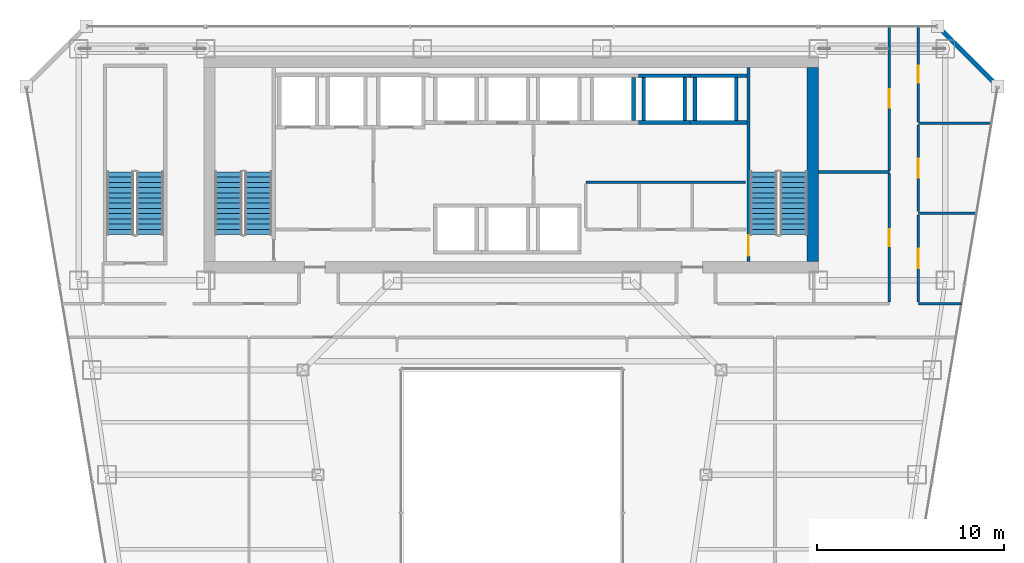
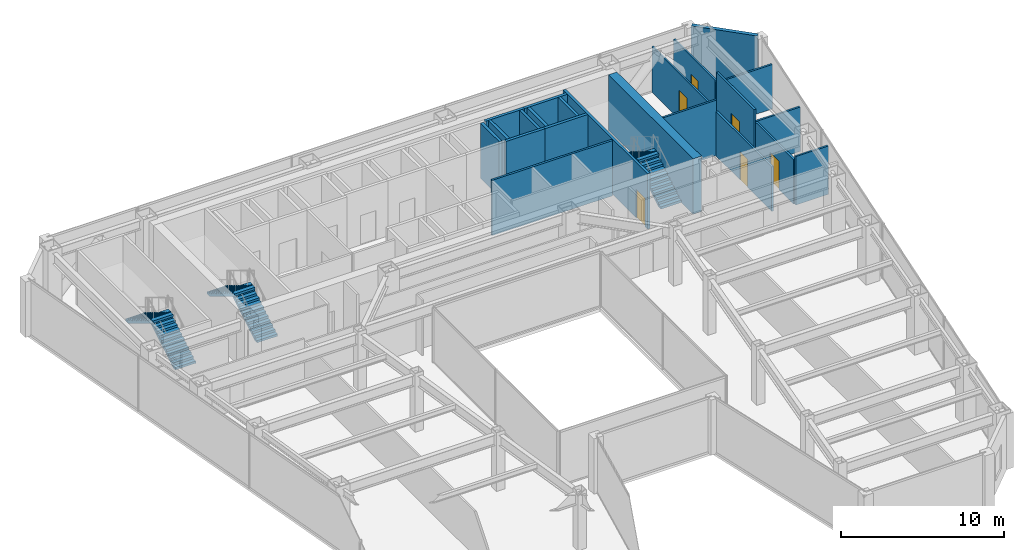
# One storey, part 34 of 37: 22 walls, 6 doors, 6 stair flights, 6 openings, 3 elements without a shape of their own.
"""IFC4 building model written with IfcOpenShell, lengths in metres."""

from ifc_helpers import new_model, si_unit, direction, frame, frame_2d, origin, place, context, subcontext, project, spatial, polyline, rectangle, outline, extrude, material, layer, layer_set, type_object, element, fill, aggregate, save


model = new_model("IFC4")

# Units and contexts
model_context = context("Model", 3, precision=1e-05, world=origin(), true_north=direction((0.0, 1.0)))
body_context = subcontext(model_context, "Body", "Model", "MODEL_VIEW")
ifc_project = project(units=[si_unit("LENGTHUNIT", "METRE"), si_unit("AREAUNIT", "SQUARE_METRE"), si_unit("VOLUMEUNIT", "CUBIC_METRE"), si_unit("PLANEANGLEUNIT", "RADIAN"), si_unit("MASSUNIT", "GRAM", prefix="KILO")], contexts=[model_context])

# Site, building, storey
site_placement = place(None, origin())
site = spatial("IfcSite", under=ifc_project, at=site_placement, CompositionType="ELEMENT")
building_placement = place(site_placement, origin())
building = spatial("IfcBuilding", under=site, at=building_placement, Name="Saevonmaru Cultural Tower", CompositionType="ELEMENT")
storey_placement = place(building_placement, frame((0.0, 0.0, 106.0)))
storey = spatial("IfcBuildingStorey", under=building, at=storey_placement, Name="L22", CompositionType="ELEMENT", Elevation=106.0)

# Walls
ifc_material_1 = material(Name="Concrete C60/75", Category="concrete")
ifc_layer_1 = layer(ifc_material_1, 0.60009765625, Name="Concrete C60/75")
ifc_layer_set_1 = layer_set([ifc_layer_1], Name="Concrete C60/75")
wall_type_1 = type_object("IfcWallType", Name="WL-CORE-600", PredefinedType="SHEAR", material=ifc_layer_set_1)
wall_1_placement = place(storey_placement, frame((46.10009765625, 43.39990234375, 0.0), z_axis=(0.0, 0.0, 1.0), x_axis=(0.0, 1.0, 0.0)))
element("IfcWall", 1, at=wall_1_placement, inside=storey, type_object=wall_type_1, Name="L22 Tower RC core shear wall E", PredefinedType="SHEAR", context=body_context, shape_type="SweptSolid", body=[
    extrude(rectangle(XDim=10.400146484375, YDim=0.60009765625, at=frame_2d((5.2001953125, 0.0))), origin(), (0.0, 0.0, 1.0), 4.14990234375),
])
ifc_material_2 = material(Name="Gypsum Fireboard Partition", Category="gypsum")
ifc_layer_2 = layer(ifc_material_2, 0.14990234375, Name="Gypsum Fireboard Partition")
ifc_layer_set_2 = layer_set([ifc_layer_2], Name="Gypsum Fireboard Partition")
wall_type_2 = type_object("IfcWallType", Name="WL-CORE-PART-150", PredefinedType="PARTITIONING", material=ifc_layer_set_2)
wall_2_placement = place(storey_placement, frame((33.949951171875, 47.64990234375, 0.0), z_axis=(0.0, 0.0, 1.0), x_axis=(1.0, 0.0, 0.0)))
element("IfcWall", 2, at=wall_2_placement, inside=storey, type_object=wall_type_2, Name="L22 Core Utility North Wall", PredefinedType="PARTITIONING", context=body_context, shape_type="SweptSolid", body=[
    extrude(rectangle(XDim=8.550048828125, YDim=0.14990234375, at=frame_2d((4.27490234375, 0.0))), origin(), (0.0, 0.0, 1.0), 4.14990234375),
])
ifc_material_3 = material(Name="Granite-Clad Precast Concrete C40/50", Category="masonry")
ifc_layer_3 = layer(ifc_material_3, 0.260009765625, Name="Granite-Clad Precast Concrete C40/50")
ifc_layer_set_3 = layer_set([ifc_layer_3], Name="Granite-Clad Precast Concrete C40/50")
wall_type_3 = type_object("IfcWallType", Name="WL-EXT-SPANDREL-260", PredefinedType="STANDARD", material=ifc_layer_set_3)
wall_3_placement = place(storey_placement, frame((55.886962890625, 52.9130859375, 0.0), z_axis=(0.0, 0.0, 1.0), x_axis=(-0.707106781187, 0.707106781187, 0.0)))
element("IfcWall", 3, at=wall_3_placement, inside=storey, type_object=wall_type_3, Name="L22 Chamfer Corner Spandrel Wall E9", PredefinedType="STANDARD", context=body_context, shape_type="SweptSolid", body=[
    extrude(rectangle(XDim=4.205810546875, YDim=0.260009765625, at=frame_2d((2.10302734375, 0.0))), origin(), (0.0, 0.0, 1.0), 4.14990234375),
])

# Wall, opening, door
ifc_layer_4 = layer(ifc_material_2, 0.14990234375, Name="Gypsum Fireboard Partition")
ifc_layer_set_4 = layer_set([ifc_layer_4], Name="Gypsum Fireboard Partition")
wall_type_4 = type_object("IfcWallType", Name="WL-PART-FIRE-150", PredefinedType="PARTITIONING", material=ifc_layer_set_4)
wall_4_placement = place(storey_placement, frame((51.75, 41.237548828125, 0.0), z_axis=(0.0, 0.0, 1.0), x_axis=(0.0, 1.0, 0.0)))
wall_4 = element("IfcWall", 4, at=wall_4_placement, inside=storey, type_object=wall_type_4, Name="L22 Skyline Exhibition Gallery Corridor Wall", PredefinedType="PARTITIONING", context=body_context, shape_type="SweptSolid", body=[
    extrude(rectangle(XDim=4.675048828125, YDim=0.14990234375, at=frame_2d((2.33740234375, 0.0))), origin(), (0.0, 0.0, 1.0), 3.3349609375),
])
opening_1_placement = place(wall_4_placement, frame((1.81298828125, 0.0, 0.0)))
opening_1 = element("IfcOpeningElement", 5, at=opening_1_placement, cuts=wall_4, Name="Opening ID-1", PredefinedType="OPENING", context=body_context, shape_type="SweptSolid", body=[
    extrude(rectangle(XDim=1.050048828125, YDim=2.14990234375, at=frame_2d((0.52490234375, 1.074951171875))), frame((0.0, 0.0849609375, 0.0), z_axis=(0.0, -1.0, 0.0), x_axis=(1.0, 0.0, 0.0)), (0.0, 0.0, 1.0), 0.169921875),
])
ifc_material_4 = material(Name="Satin Bronze Anodised Aluminium", Category="aluminium")
door_type_1 = type_object("IfcDoorType", Name="DR-INT-1050", OperationType="SINGLE_SWING_LEFT", PredefinedType="DOOR", material=ifc_material_4)
door_1_placement = place(opening_1_placement, origin())
door_1 = element("IfcDoor", 6, at=door_1_placement, inside=storey, type_object=door_type_1, Name="L22 Skyline Exhibition Gallery Door", OperationType="SINGLE_SWING_RIGHT", OverallHeight=2.14990234375, OverallWidth=1.050048828125, PredefinedType="DOOR", context=body_context, shape_type="SweptSolid", body=[
    extrude(rectangle(XDim=1.050048828125, YDim=2.14990234375, at=frame_2d((0.52490234375, 1.074951171875))), frame((0.0, 0.02490234375, 0.0), z_axis=(0.0, -1.0, 0.0), x_axis=(1.0, 0.0, 0.0)), (0.0, 0.0, 1.0), 0.050048828125),
])
fill(opening_1, door_1)

wall_5_placement = place(storey_placement, frame((51.75, 46.08740234375, 0.0), z_axis=(0.0, 0.0, 1.0), x_axis=(0.0, 1.0, 0.0)))
wall_5 = element("IfcWall", 7, at=wall_5_placement, inside=storey, type_object=wall_type_4, Name="L22 Acoustic Chamber Auditorium Corridor Wall", PredefinedType="PARTITIONING", context=body_context, shape_type="SweptSolid", body=[
    extrude(rectangle(XDim=4.625, YDim=0.14990234375, at=frame_2d((2.3125, 0.0))), origin(), (0.0, 0.0, 1.0), 4.14990234375),
])
opening_2_placement = place(wall_5_placement, frame((1.81201171875, 0.0, 0.0)))
opening_2 = element("IfcOpeningElement", 8, at=opening_2_placement, cuts=wall_5, Name="Opening ID-1B", PredefinedType="OPENING", context=body_context, shape_type="SweptSolid", body=[
    extrude(rectangle(XDim=1.0, YDim=2.14990234375, at=frame_2d((0.5, 1.074951171875))), frame((0.0, 0.0849609375, 0.0), z_axis=(0.0, -1.0, 0.0), x_axis=(1.0, 0.0, 0.0)), (0.0, 0.0, 1.0), 0.169921875),
])
ifc_material_5 = material(Name="Acoustic Stained Oak Timber", Category="wood")
door_type_2 = type_object("IfcDoorType", Name="DR-INT-1000", OperationType="SINGLE_SWING_RIGHT", PredefinedType="DOOR", material=ifc_material_5)
door_2_placement = place(opening_2_placement, origin())
door_2 = element("IfcDoor", 9, at=door_2_placement, inside=storey, type_object=door_type_2, Name="L22 Acoustic Chamber Auditorium Door", OperationType="SINGLE_SWING_LEFT", OverallHeight=2.14990234375, OverallWidth=1.0, PredefinedType="DOOR", context=body_context, shape_type="SweptSolid", body=[
    extrude(rectangle(XDim=1.0, YDim=2.14990234375, at=frame_2d((0.5, 1.074951171875))), frame((0.0, 0.02490234375, 0.0), z_axis=(0.0, -1.0, 0.0), x_axis=(1.0, 0.0, 0.0)), (0.0, 0.0, 1.0), 0.050048828125),
])
fill(opening_2, door_2)

ifc_layer_5 = layer(ifc_material_2, 0.1201171875, Name="Gypsum Fireboard Partition")
ifc_layer_set_5 = layer_set([ifc_layer_5], Name="Gypsum Fireboard Partition")
wall_type_5 = type_object("IfcWallType", Name="WL-PART-GYP-120", PredefinedType="PARTITIONING", material=ifc_layer_set_5)
wall_6_placement = place(storey_placement, frame((50.199951171875, 48.2900390625, 0.0), z_axis=(0.0, 0.0, 1.0), x_axis=(0.0, 1.0, 0.0)))
wall_6 = element("IfcWall", 10, at=wall_6_placement, inside=storey, type_object=wall_type_5, Name="L22 Museum Espresso Cafe Corridor Wall", PredefinedType="PARTITIONING", context=body_context, shape_type="SweptSolid", body=[
    extrude(rectangle(XDim=7.705078125, YDim=0.1201171875, at=frame_2d((3.8525390625, 0.0))), origin(), (0.0, 0.0, 1.0), 3.43505859375),
])
opening_3_placement = place(wall_6_placement, frame((3.35205078125, 0.0, 0.0)))
opening_3 = element("IfcOpeningElement", 11, at=opening_3_placement, cuts=wall_6, Name="Opening ID-1B", PredefinedType="OPENING", context=body_context, shape_type="SweptSolid", body=[
    extrude(rectangle(XDim=1.0, YDim=2.14990234375, at=frame_2d((0.5, 1.074951171875))), frame((0.0, 0.070068359375, 0.0), z_axis=(0.0, -1.0, 0.0), x_axis=(1.0, 0.0, 0.0)), (0.0, 0.0, 1.0), 0.14013671875),
])
door_3_placement = place(opening_3_placement, origin())
door_3 = element("IfcDoor", 12, at=door_3_placement, inside=storey, type_object=door_type_2, Name="L22 Museum Espresso Cafe Door", OperationType="SINGLE_SWING_LEFT", OverallHeight=2.14990234375, OverallWidth=1.0, PredefinedType="DOOR", context=body_context, shape_type="SweptSolid", body=[
    extrude(rectangle(XDim=1.0, YDim=2.14990234375, at=frame_2d((0.5, 1.074951171875))), frame((0.0, 0.02490234375, 0.0), z_axis=(0.0, -1.0, 0.0), x_axis=(1.0, 0.0, 0.0)), (0.0, 0.0, 1.0), 0.050048828125),
])
fill(opening_3, door_3)

wall_7_placement = place(storey_placement, frame((51.75, 50.887451171875, 0.0), z_axis=(0.0, 0.0, 1.0), x_axis=(0.0, 1.0, 0.0)))
wall_7 = element("IfcWall", 13, at=wall_7_placement, inside=storey, type_object=wall_type_5, Name="L22 Visiting Fellows Office Corridor Wall", PredefinedType="PARTITIONING", context=body_context, shape_type="SweptSolid", body=[
    extrude(rectangle(XDim=5.107666015625, YDim=0.1201171875, at=frame_2d((2.5537109375, 0.0))), origin(), (0.0, 0.0, 1.0), 3.43505859375),
])
opening_4_placement = place(wall_7_placement, frame((2.10400390625, 0.0, 0.0)))
opening_4 = element("IfcOpeningElement", 14, at=opening_4_placement, cuts=wall_7, Name="Opening ID-2", PredefinedType="OPENING", context=body_context, shape_type="SweptSolid", body=[
    extrude(rectangle(XDim=0.89990234375, YDim=2.10009765625, at=frame_2d((0.449951171875, 1.050048828125))), frame((0.0, 0.070068359375, 0.0), z_axis=(0.0, -1.0, 0.0), x_axis=(1.0, 0.0, 0.0)), (0.0, 0.0, 1.0), 0.14013671875),
])
door_type_3 = type_object("IfcDoorType", Name="DR-INT-900", OperationType="SINGLE_SWING_RIGHT", PredefinedType="DOOR", material=ifc_material_5)
door_4_placement = place(opening_4_placement, origin())
door_4 = element("IfcDoor", 15, at=door_4_placement, inside=storey, type_object=door_type_3, Name="L22 Visiting Fellows Office Door", OperationType="SINGLE_SWING_RIGHT", OverallHeight=2.10009765625, OverallWidth=0.89990234375, PredefinedType="DOOR", context=body_context, shape_type="SweptSolid", body=[
    extrude(rectangle(XDim=0.89990234375, YDim=2.10009765625, at=frame_2d((0.449951171875, 1.050048828125))), frame((0.0, 0.02490234375, 0.0), z_axis=(0.0, -1.0, 0.0), x_axis=(1.0, 0.0, 0.0)), (0.0, 0.0, 1.0), 0.050048828125),
])
fill(opening_4, door_4)

# Walls
ifc_layer_6 = layer(ifc_material_2, 0.135009765625, Name="Gypsum Fireboard Partition")
ifc_layer_set_6 = layer_set([ifc_layer_6], Name="Gypsum Fireboard Partition")
wall_type_6 = type_object("IfcWallType", Name="WL-PART-GYP-135", PredefinedType="PARTITIONING", material=ifc_layer_set_6)
wall_8_placement = place(storey_placement, frame((51.75, 41.14990234375, 0.0), z_axis=(0.0, 0.0, 1.0), x_axis=(1.0, 0.0, 0.0)))
element("IfcWall", 16, at=wall_8_placement, inside=storey, type_object=wall_type_6, Name="L22 NE Wing South Wall", PredefinedType="PARTITIONING", context=body_context, shape_type="SweptSolid", body=[
    extrude(rectangle(XDim=2.30810546875, YDim=0.135009765625, at=frame_2d((1.154052734375, 0.0))), origin(), (0.0, 0.0, 1.0), 3.635009765625),
])
wall_9_placement = place(storey_placement, frame((51.75, 46.0, 0.0), z_axis=(0.0, 0.0, 1.0), x_axis=(1.0, 0.0, 0.0)))
element("IfcWall", 17, at=wall_9_placement, inside=storey, type_object=wall_type_6, Name="L22 NE Studio Divider 1", PredefinedType="PARTITIONING", context=body_context, shape_type="SweptSolid", body=[
    extrude(rectangle(XDim=3.114501953125, YDim=0.135009765625, at=frame_2d((1.55712890625, 0.0))), origin(), (0.0, 0.0, 1.0), 3.3349609375),
])
wall_10_placement = place(storey_placement, frame((51.75, 50.800048828125, 0.0), z_axis=(0.0, 0.0, 1.0), x_axis=(1.0, 0.0, 0.0)))
element("IfcWall", 18, at=wall_10_placement, inside=storey, type_object=wall_type_6, Name="L22 NE Studio Divider 2", PredefinedType="PARTITIONING", context=body_context, shape_type="SweptSolid", body=[
    extrude(rectangle(XDim=3.912353515625, YDim=0.135009765625, at=frame_2d((1.9560546875, 0.0))), origin(), (0.0, 0.0, 1.0), 3.3349609375),
])
ifc_layer_7 = layer(ifc_material_2, 0.139892578125, Name="Gypsum Fireboard Partition")
ifc_layer_set_7 = layer_set([ifc_layer_7], Name="Gypsum Fireboard Partition")
wall_type_7 = type_object("IfcWallType", Name="WL-PART-WET-140", PredefinedType="PARTITIONING", material=ifc_layer_set_7)
wall_11_placement = place(storey_placement, frame((46.419921875, 48.199951171875, 0.0), z_axis=(0.0, 0.0, 1.0), x_axis=(1.0, 0.0, 0.0)))
element("IfcWall", 19, at=wall_11_placement, inside=storey, type_object=wall_type_7, Name="L22 Washroom North Wall", PredefinedType="PARTITIONING", context=body_context, shape_type="SweptSolid", body=[
    extrude(rectangle(XDim=3.780029296875, YDim=0.139892578125, at=frame_2d((1.89013671875, 0.0))), origin(), (0.0, 0.0, 1.0), 4.14990234375),
])

# Wall, opening, door
wall_12_placement = place(storey_placement, frame((50.199951171875, 41.239990234375, 0.0), z_axis=(0.0, 0.0, 1.0), x_axis=(0.0, 1.0, 0.0)))
wall_12 = element("IfcWall", 20, at=wall_12_placement, inside=storey, type_object=wall_type_7, Name="L22 Washroom Corridor Wall", PredefinedType="PARTITIONING", context=body_context, shape_type="SweptSolid", body=[
    extrude(rectangle(XDim=6.8701171875, YDim=0.139892578125, at=frame_2d((3.43505859375, 0.0))), origin(), (0.0, 0.0, 1.0), 3.3349609375),
])
opening_5_placement = place(wall_12_placement, frame((2.985107421875, 0.0, 0.0)))
opening_5 = element("IfcOpeningElement", 21, at=opening_5_placement, cuts=wall_12, Name="Opening ID-2", PredefinedType="OPENING", context=body_context, shape_type="SweptSolid", body=[
    extrude(rectangle(XDim=0.89990234375, YDim=2.10009765625, at=frame_2d((0.449951171875, 1.050048828125))), frame((0.0, 0.080078125, 0.0), z_axis=(0.0, -1.0, 0.0), x_axis=(1.0, 0.0, 0.0)), (0.0, 0.0, 1.0), 0.159912109375),
])
door_5_placement = place(opening_5_placement, origin())
door_5 = element("IfcDoor", 22, at=door_5_placement, inside=storey, type_object=door_type_3, Name="L22 Public Accessible Washrooms Door", OperationType="SINGLE_SWING_RIGHT", OverallHeight=2.10009765625, OverallWidth=0.89990234375, PredefinedType="DOOR", context=body_context, shape_type="SweptSolid", body=[
    extrude(rectangle(XDim=0.89990234375, YDim=2.10009765625, at=frame_2d((0.449951171875, 1.050048828125))), frame((0.0, 0.02490234375, 0.0), z_axis=(0.0, -1.0, 0.0), x_axis=(1.0, 0.0, 0.0)), (0.0, 0.0, 1.0), 0.050048828125),
])
fill(opening_5, door_5)

# Walls
ifc_material_6 = material(Name="Concrete C40/50", Category="concrete")
ifc_layer_8 = layer(ifc_material_6, 0.199951171875, Name="Concrete C40/50")
ifc_layer_set_8 = layer_set([ifc_layer_8], Name="Concrete C40/50")
wall_type_8 = type_object("IfcWallType", Name="WL-SHAFT-200", PredefinedType="SHEAR", material=ifc_layer_set_8)
wall_13_placement = place(storey_placement, frame((36.5, 50.949951171875, 0.0), z_axis=(0.0, 0.0, 1.0), x_axis=(0.0, 1.0, 0.0)))
element("IfcWall", 23, at=wall_13_placement, inside=storey, type_object=wall_type_8, Name="L22 Lift PL-H1 Hoistway Wall E", PredefinedType="SHEAR", context=body_context, shape_type="SweptSolid", body=[
    extrude(rectangle(XDim=2.300048828125, YDim=0.199951171875, at=frame_2d((1.14990234375, 0.0))), origin(), (0.0, 0.0, 1.0), 4.14990234375),
])
for number, where, z_axis, x_axis, name in (
    (24, (36.77490234375, 50.85009765625, 0.0), (0.0, 0.0, 1.0), (1.0, 0.0, 0.0), "L22 Lift PL-H2 Hoistway Wall S"),
    (25, (36.77490234375, 53.35009765625, 0.0), (0.0, 0.0, 1.0), (1.0, 0.0, 0.0), "L22 Lift PL-H2 Hoistway Wall N"),
):
    element("IfcWall", number, at=place(storey_placement, frame(where, z_axis=z_axis, x_axis=x_axis)), inside=storey, type_object=wall_type_8, Name=name, PredefinedType="SHEAR", context=body_context, shape_type="SweptSolid", body=[
        extrude(rectangle(XDim=2.75, YDim=0.199951171875, at=frame_2d((1.375, 0.0))), origin(), (0.0, 0.0, 1.0), 4.14990234375),
    ])
for number, where, z_axis, x_axis, name in (
    (26, (37.050048828125, 50.949951171875, 0.0), (0.0, 0.0, 1.0), (0.0, 1.0, 0.0), "L22 Lift PL-H2 Hoistway Wall W"),
    (27, (39.25, 50.949951171875, 0.0), (0.0, 0.0, 1.0), (0.0, 1.0, 0.0), "L22 Lift PL-H2 Hoistway Wall E"),
):
    element("IfcWall", number, at=place(storey_placement, frame(where, z_axis=z_axis, x_axis=x_axis)), inside=storey, type_object=wall_type_8, Name=name, PredefinedType="SHEAR", context=body_context, shape_type="SweptSolid", body=[
        extrude(rectangle(XDim=2.300048828125, YDim=0.199951171875, at=frame_2d((1.14990234375, 0.0))), origin(), (0.0, 0.0, 1.0), 4.14990234375),
    ])
for number, where, z_axis, x_axis, name in (
    (28, (39.52490234375, 50.85009765625, 0.0), (0.0, 0.0, 1.0), (1.0, 0.0, 0.0), "L22 Lift PL-H3 Hoistway Wall S"),
    (29, (39.52490234375, 53.35009765625, 0.0), (0.0, 0.0, 1.0), (1.0, 0.0, 0.0), "L22 Lift PL-H3 Hoistway Wall N"),
):
    element("IfcWall", number, at=place(storey_placement, frame(where, z_axis=z_axis, x_axis=x_axis)), inside=storey, type_object=wall_type_8, Name=name, PredefinedType="SHEAR", context=body_context, shape_type="SweptSolid", body=[
        extrude(rectangle(XDim=3.045166015625, YDim=0.199951171875, at=frame_2d((1.5224609375, 0.0))), origin(), (0.0, 0.0, 1.0), 4.14990234375),
    ])
for number, where, z_axis, x_axis, name in (
    (30, (39.800048828125, 50.949951171875, 0.0), (0.0, 0.0, 1.0), (0.0, 1.0, 0.0), "L22 Lift PL-H3 Hoistway Wall W"),
    (31, (42.0, 50.949951171875, 0.0), (0.0, 0.0, 1.0), (0.0, 1.0, 0.0), "L22 Lift PL-H3 Hoistway Wall E"),
):
    element("IfcWall", number, at=place(storey_placement, frame(where, z_axis=z_axis, x_axis=x_axis)), inside=storey, type_object=wall_type_8, Name=name, PredefinedType="SHEAR", context=body_context, shape_type="SweptSolid", body=[
        extrude(rectangle(XDim=2.300048828125, YDim=0.199951171875, at=frame_2d((1.14990234375, 0.0))), origin(), (0.0, 0.0, 1.0), 4.14990234375),
    ])

# Wall, opening, door
ifc_layer_9 = layer(ifc_material_6, 0.179931640625, Name="Concrete C40/50")
ifc_layer_set_9 = layer_set([ifc_layer_9], Name="Concrete C40/50")
wall_type_9 = type_object("IfcWallType", Name="WL-STSHAFT-180", PredefinedType="SHEAR", material=ifc_layer_set_9)
wall_14_placement = place(storey_placement, frame((42.659912109375, 53.800048828125, 0.0), z_axis=(0.0, 0.0, 1.0), x_axis=(0.0, -1.0, 0.0)))
wall_14 = element("IfcWall", 32, at=wall_14_placement, inside=storey, type_object=wall_type_9, Name="L22 Stair ST-2 Structural Shaft Wall 1", PredefinedType="SHEAR", context=body_context, shape_type="SweptSolid", body=[
    extrude(rectangle(XDim=10.400146484375, YDim=0.179931640625, at=frame_2d((5.2001953125, 0.0))), origin(), (0.0, 0.0, 1.0), 4.14990234375),
])
opening_6_placement = place(wall_14_placement, frame((8.989990234375, 0.0, 0.0)))
opening_6 = element("IfcOpeningElement", 33, at=opening_6_placement, cuts=wall_14, Name="Opening FD-2", PredefinedType="OPENING", context=body_context, shape_type="SweptSolid", body=[
    extrude(rectangle(XDim=1.10009765625, YDim=2.14990234375, at=frame_2d((0.550048828125, 1.074951171875))), frame((0.0, 0.10009765625, 0.0), z_axis=(0.0, -1.0, 0.0), x_axis=(1.0, 0.0, 0.0)), (0.0, 0.0, 1.0), 0.199951171875),
])
door_type_4 = type_object("IfcDoorType", Name="DR-FD60-1100", OperationType="SINGLE_SWING_LEFT", PredefinedType="DOOR", material=ifc_material_4)
door_6_placement = place(opening_6_placement, origin())
door_6 = element("IfcDoor", 34, at=door_6_placement, inside=storey, type_object=door_type_4, Name="L22 Protected Stair ST-2 Fire Door", OperationType="SINGLE_SWING_LEFT", OverallHeight=2.14990234375, OverallWidth=1.10009765625, PredefinedType="DOOR", context=body_context, shape_type="SweptSolid", body=[
    extrude(rectangle(XDim=1.10009765625, YDim=2.14990234375, at=frame_2d((0.550048828125, 1.074951171875))), frame((0.0, 0.02490234375, 0.0), z_axis=(0.0, -1.0, 0.0), x_axis=(1.0, 0.0, 0.0)), (0.0, 0.0, 1.0), 0.050048828125),
])
fill(opening_6, door_6)

# Stair, stair flights
stair_type = type_object("IfcStairType", Name="STR-DOGLEG-RC", PredefinedType="HALF_TURN_STAIR", material=ifc_material_6)
stair_1_placement = place(storey_placement, origin())
stair_1 = element("IfcStair", 35, at=stair_1_placement, inside=storey, type_object=stair_type, Name="L22 Protected exit stair ST-1", PredefinedType="HALF_TURN_STAIR")
ifc_material_7 = material(Name="Precast concrete C40/50", Category="concrete")
stair_flight_type = type_object("IfcStairFlightType", Name="STF-PRECAST-180", PredefinedType="STRAIGHT", material=ifc_material_7)
stair_flight_1_placement = place(storey_placement, frame((16.425048828125, 44.85009765625, 0.0), z_axis=(0.0, 0.0, 1.0), x_axis=(0.0, 1.0, 0.0)))
stair_flight_1 = element("IfcStairFlight", 36, at=stair_flight_1_placement, type_object=stair_flight_type, Name="ST-1-L22 flight 1", NumberOfRisers=13, NumberOfTreads=12, PredefinedType="STRAIGHT", RiserHeight=0.169230769, TreadLength=0.28, context=body_context, shape_type="SweptSolid", body=[
    extrude(outline(polyline([(0.0, 0.0), (0.0, 0.169189453125), (0.280029296875, 0.169189453125), (0.280029296875, 0.33837890625), (0.56005859375, 0.33837890625), (0.56005859375, 0.5078125), (0.840087890625, 0.5078125), (0.840087890625, 0.677001953125), (1.1201171875, 0.677001953125), (1.1201171875, 0.84619140625), (1.39990234375, 0.84619140625), (1.39990234375, 1.015380859375), (1.679931640625, 1.015380859375), (1.679931640625, 1.1845703125), (1.9599609375, 1.1845703125), (1.9599609375, 1.353759765625), (2.239990234375, 1.353759765625), (2.239990234375, 1.523193359375), (2.52001953125, 1.523193359375), (2.52001953125, 1.6923828125), (2.800048828125, 1.6923828125), (2.800048828125, 1.861572265625), (3.080078125, 1.861572265625), (3.080078125, 2.03076171875), (3.360107421875, 2.03076171875), (3.360107421875, 2.199951171875), (3.360107421875, 1.855712890625), (0.289794921875, 0.0), (0.0, 0.0)])), frame((0.0, 0.72509765625, 0.0), z_axis=(0.0, -1.0, 0.0), x_axis=(1.0, 0.0, 0.0)), (0.0, 0.0, 1.0), 1.449951171875),
])
stair_flight_2_placement = place(storey_placement, frame((14.824951171875, 48.2099609375, 2.199951171875), z_axis=(0.0, 0.0, 1.0), x_axis=(0.0, -1.0, 0.0)))
stair_flight_2 = element("IfcStairFlight", 37, at=stair_flight_2_placement, type_object=stair_flight_type, Name="ST-1-L22 flight 2", NumberOfRisers=13, NumberOfTreads=12, PredefinedType="STRAIGHT", RiserHeight=0.169230769, TreadLength=0.28, context=body_context, shape_type="SweptSolid", body=[
    extrude(outline(polyline([(0.0, 0.0), (0.0, 0.169189453125), (0.280029296875, 0.169189453125), (0.280029296875, 0.33837890625), (0.56005859375, 0.33837890625), (0.56005859375, 0.5078125), (0.840087890625, 0.5078125), (0.840087890625, 0.677001953125), (1.1201171875, 0.677001953125), (1.1201171875, 0.84619140625), (1.39990234375, 0.84619140625), (1.39990234375, 1.015380859375), (1.679931640625, 1.015380859375), (1.679931640625, 1.1845703125), (1.9599609375, 1.1845703125), (1.9599609375, 1.353759765625), (2.239990234375, 1.353759765625), (2.239990234375, 1.523193359375), (2.52001953125, 1.523193359375), (2.52001953125, 1.6923828125), (2.800048828125, 1.6923828125), (2.800048828125, 1.861572265625), (3.080078125, 1.861572265625), (3.080078125, 2.03076171875), (3.360107421875, 2.03076171875), (3.360107421875, 2.199951171875), (3.360107421875, 1.855712890625), (0.289794921875, 0.0), (0.0, 0.0)])), frame((0.0, 0.72509765625, 0.0), z_axis=(0.0, -1.0, 0.0), x_axis=(1.0, 0.0, 0.0)), (0.0, 0.0, 1.0), 1.449951171875),
])
aggregate(stair_1, [stair_flight_1, stair_flight_2])

stair_2_placement = place(storey_placement, origin())
stair_2 = element("IfcStair", 38, at=stair_2_placement, inside=storey, type_object=stair_type, Name="L22 Protected exit stair ST-2", PredefinedType="HALF_TURN_STAIR")
stair_flight_3_placement = place(storey_placement, frame((45.074951171875, 44.85009765625, 0.0), z_axis=(0.0, 0.0, 1.0), x_axis=(0.0, 1.0, 0.0)))
stair_flight_3 = element("IfcStairFlight", 39, at=stair_flight_3_placement, type_object=stair_flight_type, Name="ST-2-L22 flight 1", NumberOfRisers=13, NumberOfTreads=12, PredefinedType="STRAIGHT", RiserHeight=0.169230769, TreadLength=0.28, context=body_context, shape_type="SweptSolid", body=[
    extrude(outline(polyline([(0.0, 0.0), (0.0, 0.169189453125), (0.280029296875, 0.169189453125), (0.280029296875, 0.33837890625), (0.56005859375, 0.33837890625), (0.56005859375, 0.5078125), (0.840087890625, 0.5078125), (0.840087890625, 0.677001953125), (1.1201171875, 0.677001953125), (1.1201171875, 0.84619140625), (1.39990234375, 0.84619140625), (1.39990234375, 1.015380859375), (1.679931640625, 1.015380859375), (1.679931640625, 1.1845703125), (1.9599609375, 1.1845703125), (1.9599609375, 1.353759765625), (2.239990234375, 1.353759765625), (2.239990234375, 1.523193359375), (2.52001953125, 1.523193359375), (2.52001953125, 1.6923828125), (2.800048828125, 1.6923828125), (2.800048828125, 1.861572265625), (3.080078125, 1.861572265625), (3.080078125, 2.03076171875), (3.360107421875, 2.03076171875), (3.360107421875, 2.199951171875), (3.360107421875, 1.855712890625), (0.289794921875, 0.0), (0.0, 0.0)])), frame((0.0, 0.72509765625, 0.0), z_axis=(0.0, -1.0, 0.0), x_axis=(1.0, 0.0, 0.0)), (0.0, 0.0, 1.0), 1.449951171875),
])
stair_flight_4_placement = place(storey_placement, frame((43.47509765625, 48.2099609375, 2.199951171875), z_axis=(0.0, 0.0, 1.0), x_axis=(0.0, -1.0, 0.0)))
stair_flight_4 = element("IfcStairFlight", 40, at=stair_flight_4_placement, type_object=stair_flight_type, Name="ST-2-L22 flight 2", NumberOfRisers=13, NumberOfTreads=12, PredefinedType="STRAIGHT", RiserHeight=0.169230769, TreadLength=0.28, context=body_context, shape_type="SweptSolid", body=[
    extrude(outline(polyline([(0.0, 0.0), (0.0, 0.169189453125), (0.280029296875, 0.169189453125), (0.280029296875, 0.33837890625), (0.56005859375, 0.33837890625), (0.56005859375, 0.5078125), (0.840087890625, 0.5078125), (0.840087890625, 0.677001953125), (1.1201171875, 0.677001953125), (1.1201171875, 0.84619140625), (1.39990234375, 0.84619140625), (1.39990234375, 1.015380859375), (1.679931640625, 1.015380859375), (1.679931640625, 1.1845703125), (1.9599609375, 1.1845703125), (1.9599609375, 1.353759765625), (2.239990234375, 1.353759765625), (2.239990234375, 1.523193359375), (2.52001953125, 1.523193359375), (2.52001953125, 1.6923828125), (2.800048828125, 1.6923828125), (2.800048828125, 1.861572265625), (3.080078125, 1.861572265625), (3.080078125, 2.03076171875), (3.360107421875, 2.03076171875), (3.360107421875, 2.199951171875), (3.360107421875, 1.855712890625), (0.289794921875, 0.0), (0.0, 0.0)])), frame((0.0, 0.72509765625, 0.0), z_axis=(0.0, -1.0, 0.0), x_axis=(1.0, 0.0, 0.0)), (0.0, 0.0, 1.0), 1.449951171875),
])
aggregate(stair_2, [stair_flight_3, stair_flight_4])

stair_3_placement = place(storey_placement, origin())
stair_3 = element("IfcStair", 41, at=stair_3_placement, inside=storey, type_object=stair_type, Name="L22 Protected exit stair ST-3", PredefinedType="HALF_TURN_STAIR")
stair_flight_5_placement = place(storey_placement, frame((10.625, 44.85009765625, 0.0), z_axis=(0.0, 0.0, 1.0), x_axis=(0.0, 1.0, 0.0)))
stair_flight_5 = element("IfcStairFlight", 42, at=stair_flight_5_placement, type_object=stair_flight_type, Name="ST-3-L22 flight 1", NumberOfRisers=13, NumberOfTreads=12, PredefinedType="STRAIGHT", RiserHeight=0.169230769, TreadLength=0.28, context=body_context, shape_type="SweptSolid", body=[
    extrude(outline(polyline([(0.0, 0.0), (0.0, 0.169189453125), (0.280029296875, 0.169189453125), (0.280029296875, 0.33837890625), (0.56005859375, 0.33837890625), (0.56005859375, 0.5078125), (0.840087890625, 0.5078125), (0.840087890625, 0.677001953125), (1.1201171875, 0.677001953125), (1.1201171875, 0.84619140625), (1.39990234375, 0.84619140625), (1.39990234375, 1.015380859375), (1.679931640625, 1.015380859375), (1.679931640625, 1.1845703125), (1.9599609375, 1.1845703125), (1.9599609375, 1.353759765625), (2.239990234375, 1.353759765625), (2.239990234375, 1.523193359375), (2.52001953125, 1.523193359375), (2.52001953125, 1.6923828125), (2.800048828125, 1.6923828125), (2.800048828125, 1.861572265625), (3.080078125, 1.861572265625), (3.080078125, 2.03076171875), (3.360107421875, 2.03076171875), (3.360107421875, 2.199951171875), (3.360107421875, 1.855712890625), (0.289794921875, 0.0), (0.0, 0.0)])), frame((0.0, 0.72509765625, 0.0), z_axis=(0.0, -1.0, 0.0), x_axis=(1.0, 0.0, 0.0)), (0.0, 0.0, 1.0), 1.449951171875),
])
stair_flight_6_placement = place(storey_placement, frame((9.02490234375, 48.2099609375, 2.199951171875), z_axis=(0.0, 0.0, 1.0), x_axis=(0.0, -1.0, 0.0)))
stair_flight_6 = element("IfcStairFlight", 43, at=stair_flight_6_placement, type_object=stair_flight_type, Name="ST-3-L22 flight 2", NumberOfRisers=13, NumberOfTreads=12, PredefinedType="STRAIGHT", RiserHeight=0.169230769, TreadLength=0.28, context=body_context, shape_type="SweptSolid", body=[
    extrude(outline(polyline([(0.0, 0.0), (0.0, 0.169189453125), (0.280029296875, 0.169189453125), (0.280029296875, 0.33837890625), (0.56005859375, 0.33837890625), (0.56005859375, 0.5078125), (0.840087890625, 0.5078125), (0.840087890625, 0.677001953125), (1.1201171875, 0.677001953125), (1.1201171875, 0.84619140625), (1.39990234375, 0.84619140625), (1.39990234375, 1.015380859375), (1.679931640625, 1.015380859375), (1.679931640625, 1.1845703125), (1.9599609375, 1.1845703125), (1.9599609375, 1.353759765625), (2.239990234375, 1.353759765625), (2.239990234375, 1.523193359375), (2.52001953125, 1.523193359375), (2.52001953125, 1.6923828125), (2.800048828125, 1.6923828125), (2.800048828125, 1.861572265625), (3.080078125, 1.861572265625), (3.080078125, 2.03076171875), (3.360107421875, 2.03076171875), (3.360107421875, 2.199951171875), (3.360107421875, 1.855712890625), (0.289794921875, 0.0), (0.0, 0.0)])), frame((0.0, 0.72509765625, 0.0), z_axis=(0.0, -1.0, 0.0), x_axis=(1.0, 0.0, 0.0)), (0.0, 0.0, 1.0), 1.449951171875),
])
aggregate(stair_3, [stair_flight_5, stair_flight_6])

save(model, "model.ifc")
